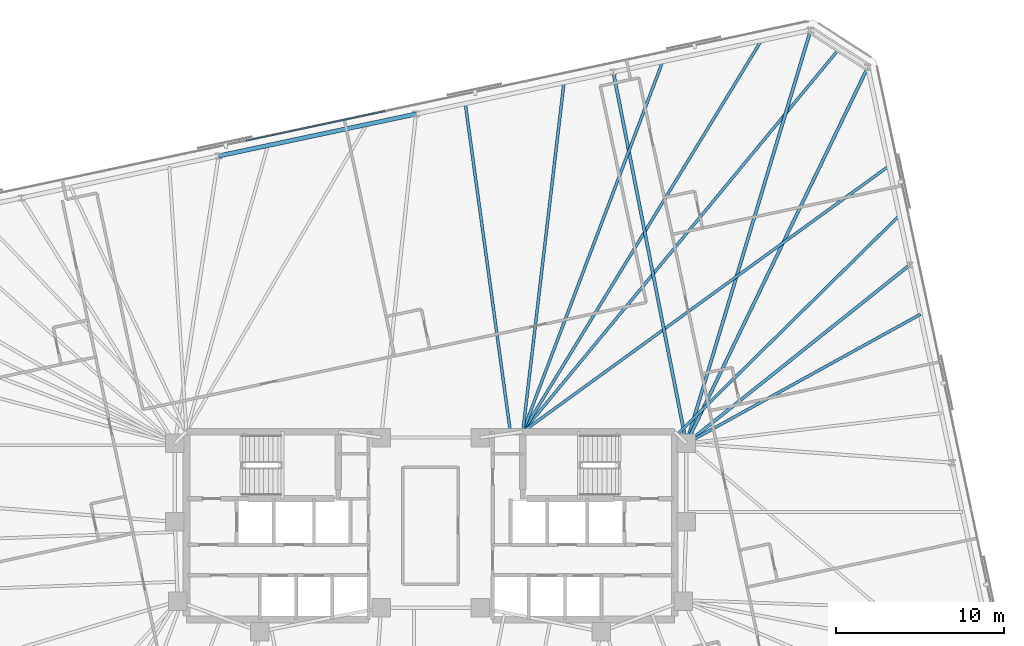
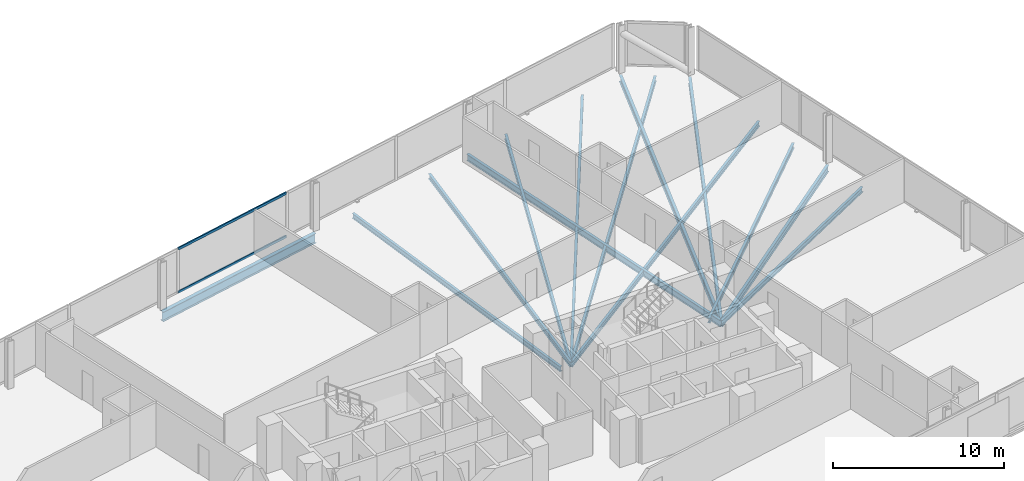
# One storey, part 10 of 19: 13 beams, 2 members, 1 element without a shape of its own.
"""IFC4 building model written with IfcOpenShell, lengths in metres."""

from ifc_helpers import new_model, si_unit, direction, frame, origin, origin_2d, place, context, subcontext, project, spatial, rectangle, i_section, extrude, material, material_profile, profile_set, type_object, element, aggregate, save


model = new_model("IFC4")

# Units and contexts
model_context = context("Model", 3, precision=1e-05, world=origin(), true_north=direction((0.0, 1.0)))
body_context = subcontext(model_context, "Body", "Model", "MODEL_VIEW")
ifc_project = project(units=[si_unit("LENGTHUNIT", "METRE"), si_unit("AREAUNIT", "SQUARE_METRE"), si_unit("VOLUMEUNIT", "CUBIC_METRE"), si_unit("PLANEANGLEUNIT", "RADIAN"), si_unit("MASSUNIT", "GRAM", prefix="KILO")], contexts=[model_context])

# Site, building, storey
site_placement = place(None, origin())
site = spatial("IfcSite", under=ifc_project, at=site_placement, CompositionType="ELEMENT")
building_placement = place(site_placement, origin())
building = spatial("IfcBuilding", under=site, at=building_placement, Name="Menara Jurai Vektor", CompositionType="ELEMENT")
storey_placement = place(building_placement, frame((0.0, 0.0, 171.800048828125)))
storey = spatial("IfcBuildingStorey", under=building, at=storey_placement, Name="L44", CompositionType="ELEMENT", Elevation=171.800048828125)

# Curtain wall, members
ifc_material_1 = material(Name="Anodised Pale Aluminium & Low-E Double Glazing", Category="aluminium")
curtain_wall_type = type_object("IfcCurtainWallType", Name="CW-BLK3", PredefinedType="NOTDEFINED", material=ifc_material_1)
curtain_wall_placement = place(storey_placement, origin())
curtain_wall = element("IfcCurtainWall", 1, at=curtain_wall_placement, inside=storey, type_object=curtain_wall_type, Name="Unitised Curtain Wall L44 F05", PredefinedType="NOTDEFINED")
ifc_material_2 = material(Name="Anodised Pale Aluminium Transom", Category="aluminium")
ifc_material_profile_1 = material_profile(ifc_material_2, rectangle(XDim=0.0849609375, YDim=0.175048828125, at=origin_2d()), Name="ALU TRN 85x175")
ifc_profile_set_1 = profile_set([ifc_material_profile_1], Name="Anodised Pale Aluminium Transom")
member_type = type_object("IfcMemberType", Name="CW-BLK3-TRN", PredefinedType="USERDEFINED", material=ifc_profile_set_1)
member_1_placement = place(storey_placement, frame((-2.716796875, 24.712890625, 0.04248046875), z_axis=(-0.978153589924, -0.207883511896, 0.0), x_axis=(0.207883511896, -0.978153589924, 0.0)))
member_1 = element("IfcMember", 2, at=member_1_placement, type_object=member_type, Name="CW-03 transom 4.1", ObjectType="TRANSOM", PredefinedType="USERDEFINED", context=body_context, shape_type="SweptSolid", body=[
    extrude(rectangle(XDim=0.0849609375, YDim=0.175048828125, at=origin_2d()), origin(), (0.0, 0.0, 1.0), 8.4921875),
])
member_2_placement = place(storey_placement, frame((-2.716796875, 24.712890625, 3.132568359375), z_axis=(-0.978153589924, -0.207883511896, 0.0), x_axis=(0.207883511896, -0.978153589924, 0.0)))
member_2 = element("IfcMember", 3, at=member_2_placement, type_object=member_type, Name="CW-03 transom 4.2", ObjectType="TRANSOM", PredefinedType="USERDEFINED", context=body_context, shape_type="SweptSolid", body=[
    extrude(rectangle(XDim=0.0849609375, YDim=0.175048828125, at=origin_2d()), origin(), (0.0, 0.0, 1.0), 8.4921875),
])
aggregate(curtain_wall, [member_1, member_2])

# Beams
ifc_material_3 = material(Name="Steel S355", Category="steel")
ifc_material_profile_2 = material_profile(ifc_material_3, i_section(OverallWidth=0.19091796875, OverallDepth=0.4599609375, WebThickness=0.010009765625, FlangeThickness=0.01611328125, FilletRadius=0.010009765625, at=origin_2d()), Name="UKB 457x191x82")
ifc_profile_set_2 = profile_set([ifc_material_profile_2], Name="Steel S355")
beam_type_1 = type_object("IfcBeamType", Name="STR-BM-457", PredefinedType="BEAM", material=ifc_profile_set_2)
beam_1_placement = place(storey_placement, frame((28.5771484375, 15.544921875, -0.455078125), z_axis=(-0.781346163898, -0.624097886683, 0.0), x_axis=(0.624097886683, -0.781346163898, 0.0)))
element("IfcBeam", 4, at=beam_1_placement, inside=storey, type_object=beam_type_1, Name="Radial Floor Girder L44-E3", PredefinedType="BEAM", context=body_context, shape_type="SweptSolid", body=[
    extrude(i_section(OverallWidth=0.19091796875, OverallDepth=0.4599609375, WebThickness=0.010009765625, FlangeThickness=0.01611328125, FilletRadius=0.010009765625, at=origin_2d()), origin(), (0.0, 0.0, 1.0), 17.056640625),
])
beam_2_placement = place(storey_placement, frame((26.0712890625, 27.33349609375, -0.455078125), z_axis=(-0.434465059539, -0.900688687639, 0.0), x_axis=(0.900688687639, -0.434465059539, 0.0)))
element("IfcBeam", 5, at=beam_2_placement, inside=storey, type_object=beam_type_1, Name="Radial Floor Girder L44-E4", PredefinedType="BEAM", context=body_context, shape_type="SweptSolid", body=[
    extrude(i_section(OverallWidth=0.19091796875, OverallDepth=0.4599609375, WebThickness=0.010009765625, FlangeThickness=0.01611328125, FilletRadius=0.010009765625, at=origin_2d()), origin(), (0.0, 0.0, 1.0), 24.9072265625),
])
beam_3_placement = place(storey_placement, frame((22.664794921875, 29.545654296875, -0.455078125), z_axis=(-0.288098843548, -0.957600676872, 0.0), x_axis=(0.957600676872, -0.288098843548, 0.0)))
element("IfcBeam", 6, at=beam_3_placement, inside=storey, type_object=beam_type_1, Name="Radial Floor Girder L44-N1", PredefinedType="BEAM", context=body_context, shape_type="SweptSolid", body=[
    extrude(i_section(OverallWidth=0.19091796875, OverallDepth=0.4599609375, WebThickness=0.010009765625, FlangeThickness=0.01611328125, FilletRadius=0.010009765625, at=origin_2d()), origin(), (0.0, 0.0, 1.0), 25.737060546875),
])
beam_4_placement = place(storey_placement, frame((10.896484375, 27.044189453125, -0.455078125), z_axis=(0.192905075816, -0.981217423268, 0.0), x_axis=(0.981217423268, 0.192905075816, 0.0)))
element("IfcBeam", 7, at=beam_4_placement, inside=storey, type_object=beam_type_1, Name="Radial Floor Girder L44-N2", PredefinedType="BEAM", context=body_context, shape_type="SweptSolid", body=[
    extrude(i_section(OverallWidth=0.19091796875, OverallDepth=0.4599609375, WebThickness=0.010009765625, FlangeThickness=0.01611328125, FilletRadius=0.010009765625, at=origin_2d()), origin(), (0.0, 0.0, 1.0), 22.568115234375),
])
ifc_material_profile_3 = material_profile(ifc_material_3, i_section(OverallWidth=0.172119140625, OverallDepth=0.35498046875, WebThickness=0.007080078125, FlangeThickness=0.011962890625, FilletRadius=0.010009765625, at=origin_2d()), Name="UKB 356x171x51")
ifc_profile_set_3 = profile_set([ifc_material_profile_3], Name="Steel S355")
beam_type_2 = type_object("IfcBeamType", Name="STR-JS-356", PredefinedType="JOIST", material=ifc_profile_set_3)
beam_5_placement = place(storey_placement, frame((29.20361328125, 12.597900390625, -0.402587890625), z_axis=(-0.875592207488, -0.483051018202, 0.0), x_axis=(0.483051018202, -0.875592207488, 0.0)))
element("IfcBeam", 8, at=beam_5_placement, inside=storey, type_object=beam_type_2, Name="Radial Secondary Floor Joist L44-JS14", PredefinedType="JOIST", context=body_context, shape_type="SweptSolid", body=[
    extrude(i_section(OverallWidth=0.172119140625, OverallDepth=0.35498046875, WebThickness=0.007080078125, FlangeThickness=0.011962890625, FilletRadius=0.010009765625, at=origin_2d()), origin(), (0.0, 0.0, 1.0), 15.936279296875),
])
beam_6_placement = place(storey_placement, frame((27.95068359375, 18.4921875, -0.402587890625), z_axis=(-0.712171791789, -0.702005227174, 0.0), x_axis=(0.702005227174, -0.712171791789, 0.0)))
element("IfcBeam", 9, at=beam_6_placement, inside=storey, type_object=beam_type_2, Name="Radial Secondary Floor Joist L44-JS15", PredefinedType="JOIST", context=body_context, shape_type="SweptSolid", body=[
    extrude(i_section(OverallWidth=0.172119140625, OverallDepth=0.35498046875, WebThickness=0.007080078125, FlangeThickness=0.011962890625, FilletRadius=0.010009765625, at=origin_2d()), origin(), (0.0, 0.0, 1.0), 18.5869140625),
])
beam_7_placement = place(storey_placement, frame((27.32421875, 21.439208984375, -0.402587890625), z_axis=(-0.809318640486, -0.587369847848, 0.0), x_axis=(0.587369847848, -0.809318640486, 0.0)))
element("IfcBeam", 10, at=beam_7_placement, inside=storey, type_object=beam_type_2, Name="Radial Secondary Floor Joist L44-JS16", PredefinedType="JOIST", context=body_context, shape_type="SweptSolid", body=[
    extrude(i_section(OverallWidth=0.172119140625, OverallDepth=0.35498046875, WebThickness=0.007080078125, FlangeThickness=0.011962890625, FilletRadius=0.010009765625, at=origin_2d()), origin(), (0.0, 0.0, 1.0), 26.966064453125),
])
beam_8_placement = place(storey_placement, frame((24.3681640625, 28.439697265625, -0.402587890625), z_axis=(-0.636894863934, -0.770950667873, 0.0), x_axis=(0.770950667873, -0.636894863934, 0.0)))
element("IfcBeam", 11, at=beam_8_placement, inside=storey, type_object=beam_type_2, Name="Radial Secondary Floor Joist L44-JS17", PredefinedType="JOIST", context=body_context, shape_type="SweptSolid", body=[
    extrude(i_section(OverallWidth=0.172119140625, OverallDepth=0.35498046875, WebThickness=0.007080078125, FlangeThickness=0.011962890625, FilletRadius=0.010009765625, at=origin_2d()), origin(), (0.0, 0.0, 1.0), 29.625244140625),
])
beam_9_placement = place(storey_placement, frame((19.72265625, 28.92041015625, -0.402587890625), z_axis=(-0.520686242997, -0.8537481106, 0.0), x_axis=(0.8537481106, -0.520686242997, 0.0)))
element("IfcBeam", 12, at=beam_9_placement, inside=storey, type_object=beam_type_2, Name="Radial Secondary Floor Joist L44-JS18", PredefinedType="JOIST", context=body_context, shape_type="SweptSolid", body=[
    extrude(i_section(OverallWidth=0.172119140625, OverallDepth=0.35498046875, WebThickness=0.007080078125, FlangeThickness=0.011962890625, FilletRadius=0.010009765625, at=origin_2d()), origin(), (0.0, 0.0, 1.0), 27.315185546875),
])
beam_10_placement = place(storey_placement, frame((13.838623046875, 27.669677734375, -0.402587890625), z_axis=(-0.353446048928, -0.935454910991, 0.0), x_axis=(0.935454910991, -0.353446048928, 0.0)))
element("IfcBeam", 13, at=beam_10_placement, inside=storey, type_object=beam_type_2, Name="Radial Secondary Floor Joist L44-JS19", PredefinedType="JOIST", context=body_context, shape_type="SweptSolid", body=[
    extrude(i_section(OverallWidth=0.172119140625, OverallDepth=0.35498046875, WebThickness=0.007080078125, FlangeThickness=0.011962890625, FilletRadius=0.010009765625, at=origin_2d()), origin(), (0.0, 0.0, 1.0), 23.59228515625),
])
beam_11_placement = place(storey_placement, frame((7.95458984375, 26.4189453125, -0.402587890625), z_axis=(-0.117091260338, -0.99312115915, 0.0), x_axis=(0.99312115915, -0.117091260338, 0.0)))
element("IfcBeam", 14, at=beam_11_placement, inside=storey, type_object=beam_type_2, Name="Radial Secondary Floor Joist L44-JS20", PredefinedType="JOIST", context=body_context, shape_type="SweptSolid", body=[
    extrude(i_section(OverallWidth=0.172119140625, OverallDepth=0.35498046875, WebThickness=0.007080078125, FlangeThickness=0.011962890625, FilletRadius=0.010009765625, at=origin_2d()), origin(), (0.0, 0.0, 1.0), 20.963134765625),
])
beam_12_placement = place(storey_placement, frame((2.0703125, 25.168212890625, -0.402587890625), z_axis=(0.135985700778, -0.990710799973, 0.0), x_axis=(0.990710799973, 0.135985700778, 0.0)))
element("IfcBeam", 15, at=beam_12_placement, inside=storey, type_object=beam_type_2, Name="Radial Secondary Floor Joist L44-JS21", PredefinedType="JOIST", context=body_context, shape_type="SweptSolid", body=[
    extrude(i_section(OverallWidth=0.172119140625, OverallDepth=0.35498046875, WebThickness=0.007080078125, FlangeThickness=0.011962890625, FilletRadius=0.010009765625, at=origin_2d()), origin(), (0.0, 0.0, 1.0), 19.852783203125),
])
ifc_material_4 = material(Name="Steel S460", Category="steel")
ifc_material_profile_4 = material_profile(ifc_material_4, i_section(OverallWidth=0.256103515625, OverallDepth=0.693115234375, WebThickness=0.013916015625, FlangeThickness=0.02392578125, FilletRadius=0.014892578125, at=origin_2d()), Name="UKB 686x254x170")
ifc_profile_set_4 = profile_set([ifc_material_profile_4], Name="Steel S460")
beam_type_3 = type_object("IfcBeamType", Name="STR-SP-686", PredefinedType="SPANDREL", material=ifc_profile_set_4)
beam_13_placement = place(storey_placement, frame((-0.87158203125, 24.54296875, -0.571533203125), z_axis=(-0.978147039247, -0.207914332389, 0.0), x_axis=(0.207914332389, -0.978147039247, 0.0)))
element("IfcBeam", 16, at=beam_13_placement, inside=storey, type_object=beam_type_3, Name="Exoskeleton Spandrel Beam L44-13", PredefinedType="SPANDREL", context=body_context, shape_type="SweptSolid", body=[
    extrude(i_section(OverallWidth=0.256103515625, OverallDepth=0.693115234375, WebThickness=0.013916015625, FlangeThickness=0.02392578125, FilletRadius=0.014892578125, at=origin_2d()), origin(), (0.0, 0.0, 1.0), 12.03125),
])

save(model, "model.ifc")
